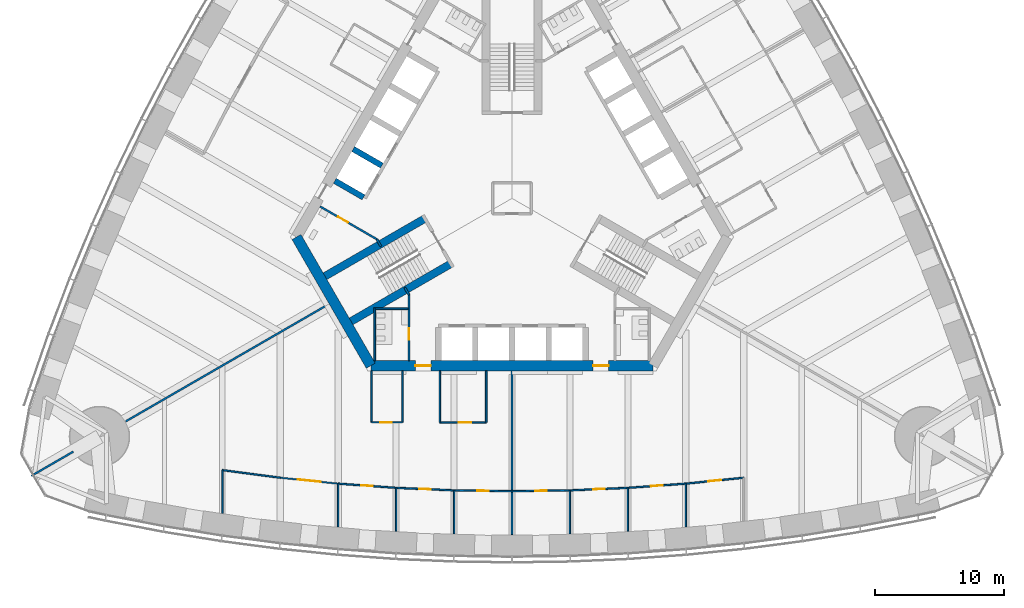
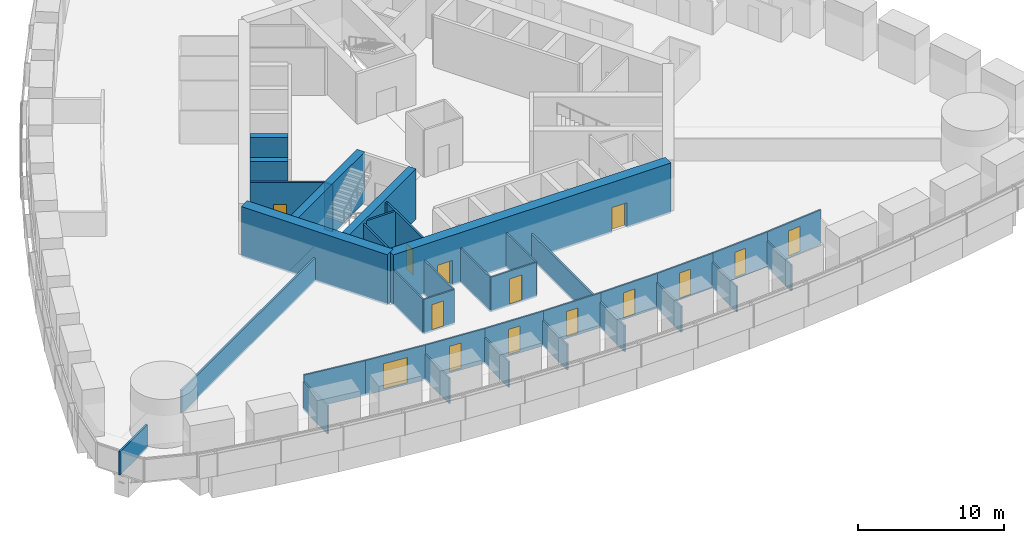
# One storey, part 10 of 18: 37 walls, 14 doors, 14 openings.
"""IFC4 building model written with IfcOpenShell, lengths in metres."""

from ifc_helpers import new_model, si_unit, direction, frame, frame_2d, origin, place, context, subcontext, project, spatial, rectangle, extrude, material, layer, layer_set, type_object, element, fill, save


model = new_model("IFC4")

# Units and contexts
model_context = context("Model", 3, precision=1e-05, world=origin(), true_north=direction((0.0, 1.0)))
body_context = subcontext(model_context, "Body", "Model", "MODEL_VIEW")
ifc_project = project(units=[si_unit("LENGTHUNIT", "METRE"), si_unit("AREAUNIT", "SQUARE_METRE"), si_unit("VOLUMEUNIT", "CUBIC_METRE"), si_unit("PLANEANGLEUNIT", "RADIAN"), si_unit("MASSUNIT", "GRAM", prefix="KILO")], contexts=[model_context])

# Site, building, storey
site_placement = place(None, origin())
site = spatial("IfcSite", under=ifc_project, at=site_placement, CompositionType="ELEMENT")
building_placement = place(site_placement, origin())
building = spatial("IfcBuilding", under=site, at=building_placement, Name="Trefoil Bronze Tower", CompositionType="ELEMENT")
storey_placement = place(building_placement, frame((0.0, 0.0, 87.89990234375)))
storey = spatial("IfcBuildingStorey", under=building, at=storey_placement, Name="L20", CompositionType="ELEMENT", Elevation=87.89990234375)

# Wall, openings, doors
ifc_material_1 = material(Name="Concrete B80", Category="concrete")
ifc_layer_1 = layer(ifc_material_1, 0.800048828125)
ifc_layer_set_1 = layer_set([ifc_layer_1], Name="Core wall 800")
wall_type_1 = type_object("IfcWallType", Name="Core wall 800", PredefinedType="SHEAR", material=ifc_layer_set_1)
wall_1_placement = place(storey_placement, frame((-10.9697265625, -13.0, 0.0), z_axis=(0.0, 0.0, 1.0), x_axis=(1.0, 0.0, 0.0)))
wall_1 = element("IfcWall", 1, at=wall_1_placement, inside=storey, type_object=wall_type_1, Name="Core long wall 1 L20", PredefinedType="SHEAR", context=body_context, shape_type="SweptSolid", body=[
    extrude(rectangle(XDim=21.939453125, YDim=0.800048828125, at=frame_2d((10.9697265625, 0.0))), origin(), (0.0, 0.0, 1.0), 4.2001953125),
])
opening_1_placement = place(wall_1_placement, frame((17.269775390625, 0.0, 0.0)))
opening_1 = element("IfcOpeningElement", 2, at=opening_1_placement, cuts=wall_1, Name="Opening D2", PredefinedType="OPENING", context=body_context, shape_type="SweptSolid", body=[
    extrude(rectangle(XDim=1.199951171875, YDim=2.10009765625, at=frame_2d((0.60009765625, 1.050048828125))), frame((0.0, 0.409912109375, 0.0), z_axis=(0.0, -1.0, 0.0), x_axis=(1.0, 0.0, 0.0)), (0.0, 0.0, 1.0), 0.820068359375),
])
opening_2_placement = place(wall_1_placement, frame((3.4697265625, 0.0, 0.0)))
opening_2 = element("IfcOpeningElement", 3, at=opening_2_placement, cuts=wall_1, Name="Opening D2", PredefinedType="OPENING", context=body_context, shape_type="SweptSolid", body=[
    extrude(rectangle(XDim=1.199951171875, YDim=2.10009765625, at=frame_2d((0.60009765625, 1.050048828125))), frame((0.0, 0.409912109375, 0.0), z_axis=(0.0, -1.0, 0.0), x_axis=(1.0, 0.0, 0.0)), (0.0, 0.0, 1.0), 0.820068359375),
])
ifc_material_2 = material(Name="Steel door", Category="steel")
door_type_1 = type_object("IfcDoorType", Name="Lobby door 1200", OperationType="SINGLE_SWING_RIGHT", PredefinedType="DOOR", material=ifc_material_2)
door_1_placement = place(opening_1_placement, origin())
door_1 = element("IfcDoor", 4, at=door_1_placement, inside=storey, type_object=door_type_1, Name="Lobby door F1+ L20", OperationType="SINGLE_SWING_RIGHT", OverallHeight=2.10009765625, OverallWidth=1.199951171875, PredefinedType="DOOR", context=body_context, shape_type="SweptSolid", body=[
    extrude(rectangle(XDim=1.199951171875, YDim=2.10009765625, at=frame_2d((0.60009765625, 1.050048828125))), frame((0.0, 0.02490234375, 0.0), z_axis=(0.0, -1.0, 0.0), x_axis=(1.0, 0.0, 0.0)), (0.0, 0.0, 1.0), 0.050048828125),
])
fill(opening_1, door_1)
door_2_placement = place(opening_2_placement, origin())
door_2 = element("IfcDoor", 5, at=door_2_placement, inside=storey, type_object=door_type_1, Name="Lobby door F1- L20", OperationType="SINGLE_SWING_LEFT", OverallHeight=2.10009765625, OverallWidth=1.199951171875, PredefinedType="DOOR", context=body_context, shape_type="SweptSolid", body=[
    extrude(rectangle(XDim=1.199951171875, YDim=2.10009765625, at=frame_2d((0.60009765625, 1.050048828125))), frame((0.0, 0.02490234375, 0.0), z_axis=(0.0, -1.0, 0.0), x_axis=(1.0, 0.0, 0.0)), (0.0, 0.0, 1.0), 0.050048828125),
])
fill(opening_2, door_2)

# Wall
wall_2_placement = place(storey_placement, frame((-16.7431640625, -3.0, 0.0), z_axis=(0.0, 0.0, 1.0), x_axis=(0.499995765644, -0.866027848477, 0.0)))
element("IfcWall", 6, at=wall_2_placement, inside=storey, type_object=wall_type_1, Name="Core short wall 3 L20", PredefinedType="SHEAR", context=body_context, shape_type="SweptSolid", body=[
    extrude(rectangle(XDim=11.546875, YDim=0.800048828125, at=frame_2d((5.7734375, 0.0))), origin(), (0.0, 0.0, 1.0), 4.2001953125),
])

# Wall, opening, door
ifc_material_3 = material(Name="Glazed partition", Category="glass")
ifc_layer_2 = layer(ifc_material_3, 0.1201171875)
ifc_layer_set_2 = layer_set([ifc_layer_2], Name="Glazed partition 120")
wall_type_2 = type_object("IfcWallType", Name="Glazed partition 120", PredefinedType="PARTITIONING", material=ifc_layer_set_2)
wall_3_placement = place(storey_placement, frame((-10.89990234375, -17.39990234375, 0.0), z_axis=(0.0, 0.0, 1.0), x_axis=(1.0, 0.0, 0.0)))
wall_3 = element("IfcWall", 7, at=wall_3_placement, inside=storey, type_object=wall_type_2, Name="Partition F1 L20", PredefinedType="PARTITIONING", context=body_context, shape_type="SweptSolid", body=[
    extrude(rectangle(XDim=2.39990234375, YDim=0.1201171875, at=frame_2d((1.199951171875, 0.0))), origin(), (0.0, 0.0, 1.0), 2.900146484375),
])
opening_3_placement = place(wall_3_placement, frame((0.64990234375, 0.0, 0.14990234375)))
opening_3 = element("IfcOpeningElement", 8, at=opening_3_placement, cuts=wall_3, Name="Opening D8", PredefinedType="OPENING", context=body_context, shape_type="SweptSolid", body=[
    extrude(rectangle(XDim=0.89990234375, YDim=2.10009765625, at=frame_2d((0.449951171875, 1.050048828125))), frame((0.0, 0.070068359375, 0.0), z_axis=(0.0, -1.0, 0.0), x_axis=(1.0, 0.0, 0.0)), (0.0, 0.0, 1.0), 0.14013671875),
])
ifc_material_4 = material(Name="Timber door", Category="wood")
door_type_2 = type_object("IfcDoorType", Name="Office door 900", OperationType="SINGLE_SWING_LEFT", PredefinedType="DOOR", material=ifc_material_4)
door_3_placement = place(opening_3_placement, origin())
door_3 = element("IfcDoor", 9, at=door_3_placement, inside=storey, type_object=door_type_2, Name="Comms room door F1 L20", OperationType="SINGLE_SWING_LEFT", OverallHeight=2.10009765625, OverallWidth=0.89990234375, PredefinedType="DOOR", context=body_context, shape_type="SweptSolid", body=[
    extrude(rectangle(XDim=0.89990234375, YDim=2.10009765625, at=frame_2d((0.449951171875, 1.050048828125))), frame((0.0, 0.02490234375, 0.0), z_axis=(0.0, -1.0, 0.0), x_axis=(1.0, 0.0, 0.0)), (0.0, 0.0, 1.0), 0.050048828125),
])
fill(opening_3, door_3)

wall_4_placement = place(storey_placement, frame((-5.60009765625, -17.39990234375, 0.0), z_axis=(0.0, 0.0, 1.0), x_axis=(1.0, 0.0, 0.0)))
wall_4 = element("IfcWall", 10, at=wall_4_placement, inside=storey, type_object=wall_type_2, Name="Partition F1 L20", PredefinedType="PARTITIONING", context=body_context, shape_type="SweptSolid", body=[
    extrude(rectangle(XDim=3.60009765625, YDim=0.1201171875, at=frame_2d((1.800048828125, 0.0))), origin(), (0.0, 0.0, 1.0), 2.900146484375),
])
opening_4_placement = place(wall_4_placement, frame((1.449951171875, 0.0, 0.14990234375)))
opening_4 = element("IfcOpeningElement", 11, at=opening_4_placement, cuts=wall_4, Name="Opening D9", PredefinedType="OPENING", context=body_context, shape_type="SweptSolid", body=[
    extrude(rectangle(XDim=1.0, YDim=2.10009765625, at=frame_2d((0.5, 1.050048828125))), frame((0.0, 0.070068359375, 0.0), z_axis=(0.0, -1.0, 0.0), x_axis=(1.0, 0.0, 0.0)), (0.0, 0.0, 1.0), 0.14013671875),
])
ifc_material_5 = material(Name="Glazed timber door", Category="wood")
door_type_3 = type_object("IfcDoorType", Name="Meeting room door 1000", OperationType="SINGLE_SWING_LEFT", PredefinedType="DOOR", material=ifc_material_5)
door_4_placement = place(opening_4_placement, origin())
door_4 = element("IfcDoor", 12, at=door_4_placement, inside=storey, type_object=door_type_3, Name="Meeting room door F1 L20", OperationType="SINGLE_SWING_RIGHT", OverallHeight=2.10009765625, OverallWidth=1.0, PredefinedType="DOOR", context=body_context, shape_type="SweptSolid", body=[
    extrude(rectangle(XDim=1.0, YDim=2.10009765625, at=frame_2d((0.5, 1.050048828125))), frame((0.0, 0.02490234375, 0.0), z_axis=(0.0, -1.0, 0.0), x_axis=(1.0, 0.0, 0.0)), (0.0, 0.0, 1.0), 0.050048828125),
])
fill(opening_4, door_4)

# Walls
for number, where, z_axis, x_axis, name in (
    (13, (-10.89990234375, -13.39990234375, 0.0), (0.0, 0.0, 1.0), (0.0, -1.0, 0.0), "Partition F1 L20"),
    (14, (-2.0, -13.39990234375, 0.0), (0.0, 0.0, 1.0), (0.0, -1.0, 0.0), "Partition F1 L20"),
    (15, (-5.60009765625, -13.39990234375, 0.0), (0.0, 0.0, 1.0), (0.0, -1.0, 0.0), "Partition F1 L20"),
    (16, (-8.5, -13.39990234375, 0.0), (0.0, 0.0, 1.0), (0.0, -1.0, 0.0), "Partition F1 L20"),
):
    element("IfcWall", number, at=place(storey_placement, frame(where, z_axis=z_axis, x_axis=x_axis)), inside=storey, type_object=wall_type_2, Name=name, PredefinedType="PARTITIONING", context=body_context, shape_type="SweptSolid", body=[
        extrude(rectangle(XDim=4.0, YDim=0.1201171875, at=frame_2d((2.0, 0.0))), origin(), (0.0, 0.0, 1.0), 2.900146484375),
    ])

# Wall, opening, door
wall_5_placement = place(storey_placement, frame((0.0, -22.748779296875, 0.0), z_axis=(0.0, 0.0, 1.0), x_axis=(0.999894311967, 0.014538393859, 0.0)))
wall_5 = element("IfcWall", 17, at=wall_5_placement, inside=storey, type_object=wall_type_2, Name="Partition F1 L20", PredefinedType="PARTITIONING", context=body_context, shape_type="SweptSolid", body=[
    extrude(rectangle(XDim=4.50048828125, YDim=0.1201171875, at=frame_2d((2.250244140625, 0.0))), origin(), (0.0, 0.0, 1.0), 2.900146484375),
])
opening_5_placement = place(wall_5_placement, frame((1.800048828125, 0.0, 0.14990234375)))
opening_5 = element("IfcOpeningElement", 18, at=opening_5_placement, cuts=wall_5, Name="Opening D8", PredefinedType="OPENING", context=body_context, shape_type="SweptSolid", body=[
    extrude(rectangle(XDim=0.89990234375, YDim=2.10009765625, at=frame_2d((0.449951171875, 1.050048828125))), frame((0.0, 0.070068359375, 0.0), z_axis=(0.0, -1.0, 0.0), x_axis=(1.0, 0.0, 0.0)), (0.0, 0.0, 1.0), 0.14013671875),
])
door_5_placement = place(opening_5_placement, frame((0.89990234375, 0.0, 0.0), z_axis=(0.0, 0.0, 1.0), x_axis=(-1.0, 0.0, 0.0)))
door_5 = element("IfcDoor", 19, at=door_5_placement, inside=storey, type_object=door_type_2, Name="Office door F1 L20", OperationType="SINGLE_SWING_RIGHT", OverallHeight=2.10009765625, OverallWidth=0.89990234375, PredefinedType="DOOR", context=body_context, shape_type="SweptSolid", body=[
    extrude(rectangle(XDim=0.89990234375, YDim=2.10009765625, at=frame_2d((0.449951171875, 1.050048828125))), frame((0.0, 0.02490234375, 0.0), z_axis=(0.0, -1.0, 0.0), x_axis=(1.0, 0.0, 0.0)), (0.0, 0.0, 1.0), 0.050048828125),
])
fill(opening_5, door_5)

wall_6_placement = place(storey_placement, frame((13.5, -22.159912109375, 0.0), z_axis=(0.0, 0.0, 1.0), x_axis=(0.994833141332, 0.101523499286, 0.0)))
wall_6 = element("IfcWall", 20, at=wall_6_placement, inside=storey, type_object=wall_type_2, Name="Partition F1 L20", PredefinedType="PARTITIONING", context=body_context, shape_type="SweptSolid", body=[
    extrude(rectangle(XDim=4.5234375, YDim=0.1201171875, at=frame_2d((2.26171875, 0.0))), origin(), (0.0, 0.0, 1.0), 2.900146484375),
])
opening_6_placement = place(wall_6_placement, frame((1.75, 0.0, 0.14990234375)))
opening_6 = element("IfcOpeningElement", 21, at=opening_6_placement, cuts=wall_6, Name="Opening D9", PredefinedType="OPENING", context=body_context, shape_type="SweptSolid", body=[
    extrude(rectangle(XDim=1.0, YDim=2.10009765625, at=frame_2d((0.5, 1.050048828125))), frame((0.0, 0.070068359375, 0.0), z_axis=(0.0, -1.0, 0.0), x_axis=(1.0, 0.0, 0.0)), (0.0, 0.0, 1.0), 0.14013671875),
])
door_6_placement = place(opening_6_placement, frame((1.0, 0.0, 0.0), z_axis=(0.0, 0.0, 1.0), x_axis=(-1.0, 0.0, 0.0)))
door_6 = element("IfcDoor", 22, at=door_6_placement, inside=storey, type_object=door_type_3, Name="Meeting room door F1 L20", OperationType="SINGLE_SWING_RIGHT", OverallHeight=2.10009765625, OverallWidth=1.0, PredefinedType="DOOR", context=body_context, shape_type="SweptSolid", body=[
    extrude(rectangle(XDim=1.0, YDim=2.10009765625, at=frame_2d((0.5, 1.050048828125))), frame((0.0, 0.02490234375, 0.0), z_axis=(0.0, -1.0, 0.0), x_axis=(1.0, 0.0, 0.0)), (0.0, 0.0, 1.0), 0.050048828125),
])
fill(opening_6, door_6)

wall_7_placement = place(storey_placement, frame((4.5, -22.683349609375, 0.0), z_axis=(0.0, 0.0, 1.0), x_axis=(0.999052370647, 0.043524254212, 0.0)))
wall_7 = element("IfcWall", 23, at=wall_7_placement, inside=storey, type_object=wall_type_2, Name="Partition F1 L20", PredefinedType="PARTITIONING", context=body_context, shape_type="SweptSolid", body=[
    extrude(rectangle(XDim=4.504150390625, YDim=0.1201171875, at=frame_2d((2.251953125, 0.0))), origin(), (0.0, 0.0, 1.0), 2.900146484375),
])
opening_7_placement = place(wall_7_placement, frame((1.800048828125, 0.0, 0.14990234375)))
opening_7 = element("IfcOpeningElement", 24, at=opening_7_placement, cuts=wall_7, Name="Opening D8", PredefinedType="OPENING", context=body_context, shape_type="SweptSolid", body=[
    extrude(rectangle(XDim=0.89990234375, YDim=2.10009765625, at=frame_2d((0.449951171875, 1.050048828125))), frame((0.0, 0.070068359375, 0.0), z_axis=(0.0, -1.0, 0.0), x_axis=(1.0, 0.0, 0.0)), (0.0, 0.0, 1.0), 0.14013671875),
])
door_7_placement = place(opening_7_placement, frame((0.89990234375, 0.0, 0.0), z_axis=(0.0, 0.0, 1.0), x_axis=(-1.0, 0.0, 0.0)))
door_7 = element("IfcDoor", 25, at=door_7_placement, inside=storey, type_object=door_type_2, Name="Office door F1 L20", OperationType="SINGLE_SWING_RIGHT", OverallHeight=2.10009765625, OverallWidth=0.89990234375, PredefinedType="DOOR", context=body_context, shape_type="SweptSolid", body=[
    extrude(rectangle(XDim=0.89990234375, YDim=2.10009765625, at=frame_2d((0.449951171875, 1.050048828125))), frame((0.0, 0.02490234375, 0.0), z_axis=(0.0, -1.0, 0.0), x_axis=(1.0, 0.0, 0.0)), (0.0, 0.0, 1.0), 0.050048828125),
])
fill(opening_7, door_7)

wall_8_placement = place(storey_placement, frame((9.0, -22.4873046875, 0.0), z_axis=(0.0, 0.0, 1.0), x_axis=(0.997363894896, 0.072562119306, 0.0)))
wall_8 = element("IfcWall", 26, at=wall_8_placement, inside=storey, type_object=wall_type_2, Name="Partition F1 L20", PredefinedType="PARTITIONING", context=body_context, shape_type="SweptSolid", body=[
    extrude(rectangle(XDim=4.511962890625, YDim=0.1201171875, at=frame_2d((2.255859375, 0.0))), origin(), (0.0, 0.0, 1.0), 2.900146484375),
])
opening_8_placement = place(wall_8_placement, frame((1.800048828125, 0.0, 0.14990234375)))
opening_8 = element("IfcOpeningElement", 27, at=opening_8_placement, cuts=wall_8, Name="Opening D8", PredefinedType="OPENING", context=body_context, shape_type="SweptSolid", body=[
    extrude(rectangle(XDim=0.89990234375, YDim=2.10009765625, at=frame_2d((0.449951171875, 1.050048828125))), frame((0.0, 0.070068359375, 0.0), z_axis=(0.0, -1.0, 0.0), x_axis=(1.0, 0.0, 0.0)), (0.0, 0.0, 1.0), 0.14013671875),
])
door_8_placement = place(opening_8_placement, frame((0.89990234375, 0.0, 0.0), z_axis=(0.0, 0.0, 1.0), x_axis=(-1.0, 0.0, 0.0)))
door_8 = element("IfcDoor", 28, at=door_8_placement, inside=storey, type_object=door_type_2, Name="Office door F1 L20", OperationType="SINGLE_SWING_RIGHT", OverallHeight=2.10009765625, OverallWidth=0.89990234375, PredefinedType="DOOR", context=body_context, shape_type="SweptSolid", body=[
    extrude(rectangle(XDim=0.89990234375, YDim=2.10009765625, at=frame_2d((0.449951171875, 1.050048828125))), frame((0.0, 0.02490234375, 0.0), z_axis=(0.0, -1.0, 0.0), x_axis=(1.0, 0.0, 0.0)), (0.0, 0.0, 1.0), 0.050048828125),
])
fill(opening_8, door_8)

wall_9_placement = place(storey_placement, frame((-13.5, -22.159912109375, 0.0), z_axis=(0.0, 0.0, 1.0), x_axis=(0.997363894896, -0.072562119306, 0.0)))
wall_9 = element("IfcWall", 29, at=wall_9_placement, inside=storey, type_object=wall_type_2, Name="Partition F1 L20", PredefinedType="PARTITIONING", context=body_context, shape_type="SweptSolid", body=[
    extrude(rectangle(XDim=4.511962890625, YDim=0.1201171875, at=frame_2d((2.255859375, 0.0))), origin(), (0.0, 0.0, 1.0), 2.900146484375),
])
opening_9_placement = place(wall_9_placement, frame((1.800048828125, 0.0, 0.14990234375)))
opening_9 = element("IfcOpeningElement", 30, at=opening_9_placement, cuts=wall_9, Name="Opening D8", PredefinedType="OPENING", context=body_context, shape_type="SweptSolid", body=[
    extrude(rectangle(XDim=0.89990234375, YDim=2.10009765625, at=frame_2d((0.449951171875, 1.050048828125))), frame((0.0, 0.070068359375, 0.0), z_axis=(0.0, -1.0, 0.0), x_axis=(1.0, 0.0, 0.0)), (0.0, 0.0, 1.0), 0.14013671875),
])
door_9_placement = place(opening_9_placement, frame((0.89990234375, 0.0, 0.0), z_axis=(0.0, 0.0, 1.0), x_axis=(-1.0, 0.0, 0.0)))
door_9 = element("IfcDoor", 31, at=door_9_placement, inside=storey, type_object=door_type_2, Name="Office door F1 L20", OperationType="SINGLE_SWING_RIGHT", OverallHeight=2.10009765625, OverallWidth=0.89990234375, PredefinedType="DOOR", context=body_context, shape_type="SweptSolid", body=[
    extrude(rectangle(XDim=0.89990234375, YDim=2.10009765625, at=frame_2d((0.449951171875, 1.050048828125))), frame((0.0, 0.02490234375, 0.0), z_axis=(0.0, -1.0, 0.0), x_axis=(1.0, 0.0, 0.0)), (0.0, 0.0, 1.0), 0.050048828125),
])
fill(opening_9, door_9)

wall_10_placement = place(storey_placement, frame((-18.0, -21.70068359375, 0.0), z_axis=(0.0, 0.0, 1.0), x_axis=(0.994833141332, -0.101523499286, 0.0)))
wall_10 = element("IfcWall", 32, at=wall_10_placement, inside=storey, type_object=wall_type_2, Name="Partition F1 L20", PredefinedType="PARTITIONING", context=body_context, shape_type="SweptSolid", body=[
    extrude(rectangle(XDim=4.5234375, YDim=0.1201171875, at=frame_2d((2.26171875, 0.0))), origin(), (0.0, 0.0, 1.0), 2.900146484375),
])
opening_10_placement = place(wall_10_placement, frame((1.35009765625, 0.0, 0.14990234375)))
opening_10 = element("IfcOpeningElement", 33, at=opening_10_placement, cuts=wall_10, Name="Opening D10", PredefinedType="OPENING", context=body_context, shape_type="SweptSolid", body=[
    extrude(rectangle(XDim=1.800048828125, YDim=2.10009765625, at=frame_2d((0.89990234375, 1.050048828125))), frame((0.0, 0.070068359375, 0.0), z_axis=(0.0, -1.0, 0.0), x_axis=(1.0, 0.0, 0.0)), (0.0, 0.0, 1.0), 0.14013671875),
])
ifc_material_6 = material(Name="Timber door", Category="wood")
door_type_4 = type_object("IfcDoorType", Name="Double door 1800", OperationType="DOUBLE_DOOR_SINGLE_SWING", PredefinedType="DOOR", material=ifc_material_6)
door_10_placement = place(opening_10_placement, frame((1.800048828125, 0.0, 0.0), z_axis=(0.0, 0.0, 1.0), x_axis=(-1.0, 0.0, 0.0)))
door_10 = element("IfcDoor", 34, at=door_10_placement, inside=storey, type_object=door_type_4, Name="Kitchen and breakout door F1 L20", OperationType="DOUBLE_DOOR_SINGLE_SWING", OverallHeight=2.10009765625, OverallWidth=1.800048828125, PredefinedType="DOOR", context=body_context, shape_type="SweptSolid", body=[
    extrude(rectangle(XDim=1.800048828125, YDim=2.10009765625, at=frame_2d((0.89990234375, 1.050048828125))), frame((0.0, 0.02490234375, 0.0), z_axis=(0.0, -1.0, 0.0), x_axis=(1.0, 0.0, 0.0)), (0.0, 0.0, 1.0), 0.050048828125),
])
fill(opening_10, door_10)

# Wall
wall_11_placement = place(storey_placement, frame((-22.5, -21.10791015625, 0.0), z_axis=(0.0, 0.0, 1.0), x_axis=(0.991435244698, -0.130599217346, 0.0)))
element("IfcWall", 35, at=wall_11_placement, inside=storey, type_object=wall_type_2, Name="Partition F1 L20", PredefinedType="PARTITIONING", context=body_context, shape_type="SweptSolid", body=[
    extrude(rectangle(XDim=4.538818359375, YDim=0.1201171875, at=frame_2d((2.26953125, 0.0))), origin(), (0.0, 0.0, 1.0), 2.900146484375),
])

# Wall, opening, door
wall_12_placement = place(storey_placement, frame((-4.5, -22.683349609375, 0.0), z_axis=(0.0, 0.0, 1.0), x_axis=(0.999894311967, -0.014538393859, 0.0)))
wall_12 = element("IfcWall", 36, at=wall_12_placement, inside=storey, type_object=wall_type_2, Name="Partition F1 L20", PredefinedType="PARTITIONING", context=body_context, shape_type="SweptSolid", body=[
    extrude(rectangle(XDim=4.50048828125, YDim=0.1201171875, at=frame_2d((2.250244140625, 0.0))), origin(), (0.0, 0.0, 1.0), 2.900146484375),
])
opening_11_placement = place(wall_12_placement, frame((1.800048828125, 0.0, 0.14990234375)))
opening_11 = element("IfcOpeningElement", 37, at=opening_11_placement, cuts=wall_12, Name="Opening D8", PredefinedType="OPENING", context=body_context, shape_type="SweptSolid", body=[
    extrude(rectangle(XDim=0.89990234375, YDim=2.10009765625, at=frame_2d((0.449951171875, 1.050048828125))), frame((0.0, 0.070068359375, 0.0), z_axis=(0.0, -1.0, 0.0), x_axis=(1.0, 0.0, 0.0)), (0.0, 0.0, 1.0), 0.14013671875),
])
door_11_placement = place(opening_11_placement, frame((0.89990234375, 0.0, 0.0), z_axis=(0.0, 0.0, 1.0), x_axis=(-1.0, 0.0, 0.0)))
door_11 = element("IfcDoor", 38, at=door_11_placement, inside=storey, type_object=door_type_2, Name="Office door F1 L20", OperationType="SINGLE_SWING_RIGHT", OverallHeight=2.10009765625, OverallWidth=0.89990234375, PredefinedType="DOOR", context=body_context, shape_type="SweptSolid", body=[
    extrude(rectangle(XDim=0.89990234375, YDim=2.10009765625, at=frame_2d((0.449951171875, 1.050048828125))), frame((0.0, 0.02490234375, 0.0), z_axis=(0.0, -1.0, 0.0), x_axis=(1.0, 0.0, 0.0)), (0.0, 0.0, 1.0), 0.050048828125),
])
fill(opening_11, door_11)

wall_13_placement = place(storey_placement, frame((-9.0, -22.4873046875, 0.0), z_axis=(0.0, 0.0, 1.0), x_axis=(0.999052370647, -0.043524254212, 0.0)))
wall_13 = element("IfcWall", 39, at=wall_13_placement, inside=storey, type_object=wall_type_2, Name="Partition F1 L20", PredefinedType="PARTITIONING", context=body_context, shape_type="SweptSolid", body=[
    extrude(rectangle(XDim=4.504150390625, YDim=0.1201171875, at=frame_2d((2.251953125, 0.0))), origin(), (0.0, 0.0, 1.0), 2.900146484375),
])
opening_12_placement = place(wall_13_placement, frame((1.800048828125, 0.0, 0.14990234375)))
opening_12 = element("IfcOpeningElement", 40, at=opening_12_placement, cuts=wall_13, Name="Opening D8", PredefinedType="OPENING", context=body_context, shape_type="SweptSolid", body=[
    extrude(rectangle(XDim=0.89990234375, YDim=2.10009765625, at=frame_2d((0.449951171875, 1.050048828125))), frame((0.0, 0.070068359375, 0.0), z_axis=(0.0, -1.0, 0.0), x_axis=(1.0, 0.0, 0.0)), (0.0, 0.0, 1.0), 0.14013671875),
])
door_12_placement = place(opening_12_placement, frame((0.89990234375, 0.0, 0.0), z_axis=(0.0, 0.0, 1.0), x_axis=(-1.0, 0.0, 0.0)))
door_12 = element("IfcDoor", 41, at=door_12_placement, inside=storey, type_object=door_type_2, Name="Office door F1 L20", OperationType="SINGLE_SWING_RIGHT", OverallHeight=2.10009765625, OverallWidth=0.89990234375, PredefinedType="DOOR", context=body_context, shape_type="SweptSolid", body=[
    extrude(rectangle(XDim=0.89990234375, YDim=2.10009765625, at=frame_2d((0.449951171875, 1.050048828125))), frame((0.0, 0.02490234375, 0.0), z_axis=(0.0, -1.0, 0.0), x_axis=(1.0, 0.0, 0.0)), (0.0, 0.0, 1.0), 0.050048828125),
])
fill(opening_12, door_12)

# Walls
wall_14_placement = place(storey_placement, frame((13.5, -22.159912109375, 0.0), z_axis=(0.0, 0.0, 1.0), x_axis=(0.0, -1.0, 0.0)))
element("IfcWall", 42, at=wall_14_placement, inside=storey, type_object=wall_type_2, Name="Partition F1 L20", PredefinedType="PARTITIONING", context=body_context, shape_type="SweptSolid", body=[
    extrude(rectangle(XDim=3.364013671875, YDim=0.1201171875, at=frame_2d((1.68212890625, 0.0))), origin(), (0.0, 0.0, 1.0), 2.150146484375),
])
wall_15_placement = place(storey_placement, frame((4.5, -22.683349609375, 0.0), z_axis=(0.0, 0.0, 1.0), x_axis=(0.0, -1.0, 0.0)))
element("IfcWall", 43, at=wall_15_placement, inside=storey, type_object=wall_type_2, Name="Partition F1 L20", PredefinedType="PARTITIONING", context=body_context, shape_type="SweptSolid", body=[
    extrude(rectangle(XDim=3.369384765625, YDim=0.1201171875, at=frame_2d((1.6845703125, 0.0))), origin(), (0.0, 0.0, 1.0), 2.150146484375),
])
wall_16_placement = place(storey_placement, frame((9.0, -22.4873046875, 0.0), z_axis=(0.0, 0.0, 1.0), x_axis=(0.0, -1.0, 0.0)))
element("IfcWall", 44, at=wall_16_placement, inside=storey, type_object=wall_type_2, Name="Partition F1 L20", PredefinedType="PARTITIONING", context=body_context, shape_type="SweptSolid", body=[
    extrude(rectangle(XDim=3.367431640625, YDim=0.1201171875, at=frame_2d((1.68359375, 0.0))), origin(), (0.0, 0.0, 1.0), 2.150146484375),
])
wall_17_placement = place(storey_placement, frame((-13.5, -22.159912109375, 0.0), z_axis=(0.0, 0.0, 1.0), x_axis=(0.0, -1.0, 0.0)))
element("IfcWall", 45, at=wall_17_placement, inside=storey, type_object=wall_type_2, Name="Partition F1 L20", PredefinedType="PARTITIONING", context=body_context, shape_type="SweptSolid", body=[
    extrude(rectangle(XDim=3.364013671875, YDim=0.1201171875, at=frame_2d((1.68212890625, 0.0))), origin(), (0.0, 0.0, 1.0), 2.150146484375),
])
wall_18_placement = place(storey_placement, frame((-22.5, -21.10791015625, 0.0), z_axis=(0.0, 0.0, 1.0), x_axis=(0.0, -1.0, 0.0)))
element("IfcWall", 46, at=wall_18_placement, inside=storey, type_object=wall_type_2, Name="Partition F1 L20", PredefinedType="PARTITIONING", context=body_context, shape_type="SweptSolid", body=[
    extrude(rectangle(XDim=3.352783203125, YDim=0.1201171875, at=frame_2d((1.67626953125, 0.0))), origin(), (0.0, 0.0, 1.0), 2.35009765625),
])
wall_19_placement = place(storey_placement, frame((-4.5, -22.683349609375, 0.0), z_axis=(0.0, 0.0, 1.0), x_axis=(0.0, -1.0, 0.0)))
element("IfcWall", 47, at=wall_19_placement, inside=storey, type_object=wall_type_2, Name="Partition F1 L20", PredefinedType="PARTITIONING", context=body_context, shape_type="SweptSolid", body=[
    extrude(rectangle(XDim=3.369384765625, YDim=0.1201171875, at=frame_2d((1.6845703125, 0.0))), origin(), (0.0, 0.0, 1.0), 2.150146484375),
])
wall_20_placement = place(storey_placement, frame((-9.0, -22.4873046875, 0.0), z_axis=(0.0, 0.0, 1.0), x_axis=(0.0, -1.0, 0.0)))
element("IfcWall", 48, at=wall_20_placement, inside=storey, type_object=wall_type_2, Name="Partition F1 L20", PredefinedType="PARTITIONING", context=body_context, shape_type="SweptSolid", body=[
    extrude(rectangle(XDim=3.367431640625, YDim=0.1201171875, at=frame_2d((1.68359375, 0.0))), origin(), (0.0, 0.0, 1.0), 2.150146484375),
])
ifc_material_7 = material(Name="Concrete B80", Category="concrete")
ifc_layer_3 = layer(ifc_material_7, 0.449951171875)
ifc_layer_set_3 = layer_set([ifc_layer_3], Name="Outrigger shaft wall 450")
wall_type_3 = type_object("IfcWallType", Name="Outrigger shaft wall 450", PredefinedType="SHEAR", material=ifc_layer_set_3)
for number, where, z_axis, x_axis, name in (
    (49, (-10.10693359375, 2.54443359375, 0.0), (0.0, 0.0, 1.0), (-0.866046643894, 0.499963209246, 0.0), "Lift shaft side wall C3 L20"),
    (50, (-11.531982421875, 0.076171875, 0.0), (0.0, 0.0, 1.0), (-0.866005588531, 0.500034319456, 0.0), "Lift shaft side wall C4 L20"),
):
    element("IfcWall", number, at=place(storey_placement, frame(where, z_axis=z_axis, x_axis=x_axis)), inside=storey, type_object=wall_type_3, Name=name, PredefinedType="SHEAR", context=body_context, shape_type="SweptSolid", body=[
        extrude(rectangle(XDim=2.574951171875, YDim=0.449951171875, at=frame_2d((1.28759765625, 0.0))), origin(), (0.0, 0.0, 1.0), 4.2001953125),
    ])

# Wall, opening, door
ifc_material_8 = material(Name="Gypsum board on steel studs", Category="steel")
ifc_layer_4 = layer(ifc_material_8, 0.14990234375)
ifc_layer_set_4 = layer_set([ifc_layer_4], Name="Partition 150")
wall_type_4 = type_object("IfcWallType", Name="Partition 150", PredefinedType="PARTITIONING", material=ifc_layer_set_4)
wall_21_placement = place(storey_placement, frame((-8.0, -7.5, 0.0), z_axis=(0.0, 0.0, 1.0), x_axis=(0.0, -1.0, 0.0)))
wall_21 = element("IfcWall", 51, at=wall_21_placement, inside=storey, type_object=wall_type_4, Name="Passage wall F1- L20", PredefinedType="PARTITIONING", context=body_context, shape_type="SweptSolid", body=[
    extrude(rectangle(XDim=5.10009765625, YDim=0.14990234375, at=frame_2d((2.550048828125, 0.0))), origin(), (0.0, 0.0, 1.0), 3.9501953125),
])
opening_13_placement = place(wall_21_placement, frame((2.60009765625, 0.0, 0.0)))
opening_13 = element("IfcOpeningElement", 52, at=opening_13_placement, cuts=wall_21, Name="Opening D3", PredefinedType="OPENING", context=body_context, shape_type="SweptSolid", body=[
    extrude(rectangle(XDim=0.89990234375, YDim=2.10009765625, at=frame_2d((0.449951171875, 1.050048828125))), frame((0.0, 0.0849609375, 0.0), z_axis=(0.0, -1.0, 0.0), x_axis=(1.0, 0.0, 0.0)), (0.0, 0.0, 1.0), 0.169921875),
])
ifc_material_9 = material(Name="Timber door", Category="wood")
door_type_5 = type_object("IfcDoorType", Name="WC door 900", OperationType="SINGLE_SWING_LEFT", PredefinedType="DOOR", material=ifc_material_9)
door_13_placement = place(opening_13_placement, frame((0.89990234375, 0.0, 0.0), z_axis=(0.0, 0.0, 1.0), x_axis=(-1.0, 0.0, 0.0)))
door_13 = element("IfcDoor", 53, at=door_13_placement, inside=storey, type_object=door_type_5, Name="WC (women) door L20", OperationType="SINGLE_SWING_RIGHT", OverallHeight=2.10009765625, OverallWidth=0.89990234375, PredefinedType="DOOR", context=body_context, shape_type="SweptSolid", body=[
    extrude(rectangle(XDim=0.89990234375, YDim=2.10009765625, at=frame_2d((0.449951171875, 1.050048828125))), frame((0.0, 0.02490234375, 0.0), z_axis=(0.0, -1.0, 0.0), x_axis=(1.0, 0.0, 0.0)), (0.0, 0.0, 1.0), 0.050048828125),
])
fill(opening_13, door_13)

wall_22_placement = place(storey_placement, frame((-10.4951171875, -3.17822265625, 0.0), z_axis=(0.0, 0.0, 1.0), x_axis=(-0.86602216432, 0.500005610874, 0.0)))
wall_22 = element("IfcWall", 54, at=wall_22_placement, inside=storey, type_object=wall_type_4, Name="Passage wall F3+ L20", PredefinedType="PARTITIONING", context=body_context, shape_type="SweptSolid", body=[
    extrude(rectangle(XDim=5.10009765625, YDim=0.14990234375, at=frame_2d((2.550048828125, 0.0))), origin(), (0.0, 0.0, 1.0), 3.9501953125),
])
opening_14_placement = place(wall_22_placement, frame((2.60009765625, 0.0, 0.0)))
opening_14 = element("IfcOpeningElement", 55, at=opening_14_placement, cuts=wall_22, Name="Opening D3", PredefinedType="OPENING", context=body_context, shape_type="SweptSolid", body=[
    extrude(rectangle(XDim=0.89990234375, YDim=2.10009765625, at=frame_2d((0.449951171875, 1.050048828125))), frame((0.0, 0.0849609375, 0.0), z_axis=(0.0, -1.0, 0.0), x_axis=(1.0, 0.0, 0.0)), (0.0, 0.0, 1.0), 0.169921875),
])
door_14_placement = place(opening_14_placement, origin())
door_14 = element("IfcDoor", 56, at=door_14_placement, inside=storey, type_object=door_type_5, Name="Accessible WC door L20", OperationType="SINGLE_SWING_RIGHT", OverallHeight=2.10009765625, OverallWidth=0.89990234375, PredefinedType="DOOR", context=body_context, shape_type="SweptSolid", body=[
    extrude(rectangle(XDim=0.89990234375, YDim=2.10009765625, at=frame_2d((0.449951171875, 1.050048828125))), frame((0.0, 0.02490234375, 0.0), z_axis=(0.0, -1.0, 0.0), x_axis=(1.0, 0.0, 0.0)), (0.0, 0.0, 1.0), 0.050048828125),
])
fill(opening_14, door_14)

# Walls
for number, where, z_axis, x_axis, name in (
    (57, (-10.4951171875, -3.17822265625, 0.0), (0.0, 0.0, 1.0), (0.499842556608, -0.866116284689, 0.0), "WC wall ST3-1 L20"),
    (58, (-8.0, -7.5, 0.0), (0.0, 0.0, 1.0), (-0.499842556608, 0.866116284689, 0.0), "WC wall ST3+1 L20"),
):
    element("IfcWall", number, at=place(storey_placement, frame(where, z_axis=z_axis, x_axis=x_axis)), inside=storey, type_object=wall_type_4, Name=name, PredefinedType="PARTITIONING", context=body_context, shape_type="SweptSolid", body=[
        extrude(rectangle(XDim=0.645263671875, YDim=0.14990234375, at=frame_2d((0.32275390625, 0.0))), origin(), (0.0, 0.0, 1.0), 3.9501953125),
    ])
wall_23_placement = place(storey_placement, frame((-10.659912109375, -8.5, 0.0), z_axis=(0.0, 0.0, 1.0), x_axis=(0.0, -1.0, 0.0)))
element("IfcWall", 59, at=wall_23_placement, inside=storey, type_object=wall_type_4, Name="WC partition WC (women) L20", PredefinedType="PARTITIONING", context=body_context, shape_type="SweptSolid", body=[
    extrude(rectangle(XDim=4.10009765625, YDim=0.14990234375, at=frame_2d((2.050048828125, 0.0))), origin(), (0.0, 0.0, 1.0), 3.9501953125),
])
wall_24_placement = place(storey_placement, frame((-8.074951171875, -8.574951171875, 0.0), z_axis=(0.0, 0.0, 1.0), x_axis=(-1.0, 0.0, 0.0)))
element("IfcWall", 60, at=wall_24_placement, inside=storey, type_object=wall_type_4, Name="WC partition WC (women) L20", PredefinedType="PARTITIONING", context=body_context, shape_type="SweptSolid", body=[
    extrude(rectangle(XDim=2.510009765625, YDim=0.14990234375, at=frame_2d((1.2548828125, 0.0))), origin(), (0.0, 0.0, 1.0), 3.9501953125),
])
ifc_material_10 = material(Name="Gypsum board on steel studs", Category="steel")
ifc_layer_5 = layer(ifc_material_10, 0.14990234375)
ifc_layer_set_5 = layer_set([ifc_layer_5], Name="Party wall 150")
wall_type_5 = type_object("IfcWallType", Name="Party wall 150", PredefinedType="PARTITIONING", material=ifc_layer_set_5)
wall_25_placement = place(storey_placement, frame((-14.202880859375, -8.199951171875, 0.0), z_axis=(0.0, 0.0, 1.0), x_axis=(-0.866024965723, -0.500000758745, 0.0)))
element("IfcWall", 61, at=wall_25_placement, inside=storey, type_object=wall_type_5, Name="Party wall K3 L20", PredefinedType="PARTITIONING", context=body_context, shape_type="SweptSolid", body=[
    extrude(rectangle(XDim=18.25, YDim=0.14990234375, at=frame_2d((9.125, 0.0))), origin(), (0.0, 0.0, 1.0), 1.9501953125),
])
wall_26_placement = place(storey_placement, frame((-34.078125, -19.675048828125, 0.0), z_axis=(0.0, 0.0, 1.0), x_axis=(-0.866019247219, -0.500010663332, 0.0)))
element("IfcWall", 62, at=wall_26_placement, inside=storey, type_object=wall_type_5, Name="Party wall K3 L20", PredefinedType="PARTITIONING", context=body_context, shape_type="SweptSolid", body=[
    extrude(rectangle(XDim=3.76416015625, YDim=0.14990234375, at=frame_2d((1.882080078125, 0.0))), origin(), (0.0, 0.0, 1.0), 1.9501953125),
])
wall_27_placement = place(storey_placement, frame((0.0, -13.409912109375, 0.0), z_axis=(0.0, 0.0, 1.0), x_axis=(0.0, -1.0, 0.0)))
element("IfcWall", 63, at=wall_27_placement, inside=storey, type_object=wall_type_5, Name="Demising wall F1 L20", PredefinedType="PARTITIONING", context=body_context, shape_type="SweptSolid", body=[
    extrude(rectangle(XDim=12.708740234375, YDim=0.14990234375, at=frame_2d((6.3544921875, 0.0))), origin(), (0.0, 0.0, 1.0), 2.150146484375),
])
ifc_material_11 = material(Name="Concrete B80", Category="concrete")
ifc_layer_6 = layer(ifc_material_11, 0.60009765625)
ifc_layer_set_6 = layer_set([ifc_layer_6], Name="Stair wall 600")
wall_type_6 = type_object("IfcWallType", Name="Stair wall 600", PredefinedType="SHEAR", material=ifc_layer_set_6)
for number, where, z_axis, x_axis, name in (
    (64, (-6.663330078125, -1.5087890625, 0.0), (0.0, 0.0, 1.0), (-0.866019375473, -0.500010441196, 0.0), "Stair wall ST3 L20"),
    (65, (-4.638427734375, -5.01611328125, 0.0), (0.0, 0.0, 1.0), (-0.866019375473, -0.500010441196, 0.0), "Stair wall ST3 L20"),
):
    element("IfcWall", number, at=place(storey_placement, frame(where, z_axis=z_axis, x_axis=x_axis)), inside=storey, type_object=wall_type_6, Name=name, PredefinedType="SHEAR", context=body_context, shape_type="SweptSolid", body=[
        extrude(rectangle(XDim=9.074951171875, YDim=0.60009765625, at=frame_2d((4.53759765625, 0.0))), origin(), (0.0, 0.0, 1.0), 4.2001953125),
    ])

save(model, "model.ifc")
